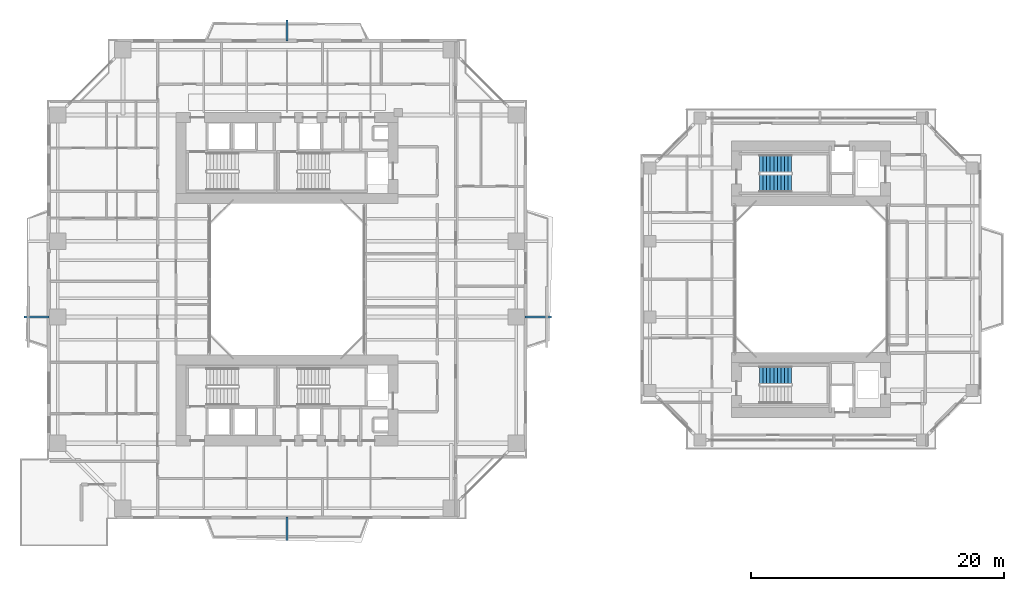
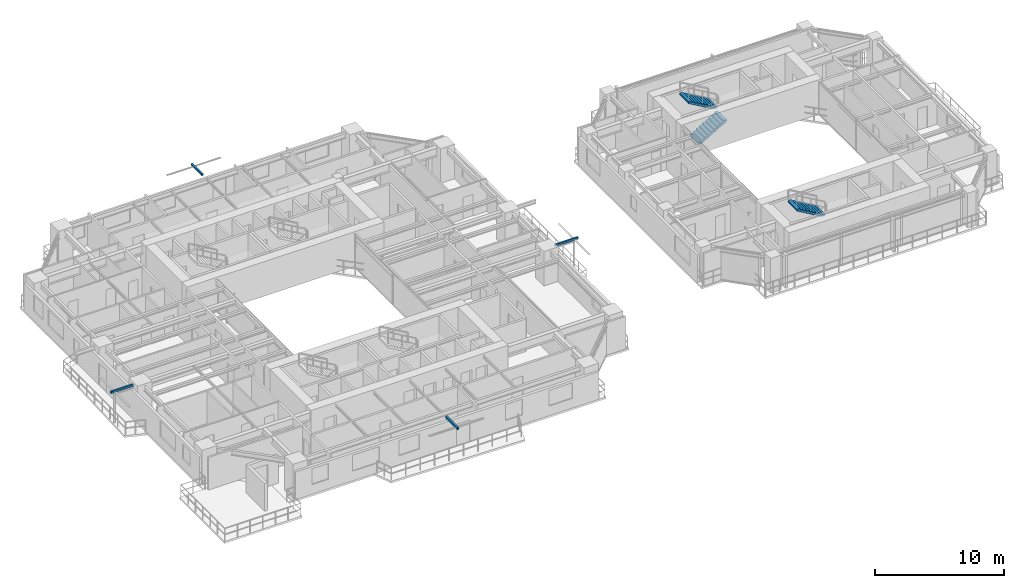
# One storey, part 19 of 24: 4 discrete accessories, 3 stair flights, 2 elements without a shape of their own.
"""IFC4 building model written with IfcOpenShell, lengths in metres."""

import ifcopenshell
import ifcopenshell.guid

model = None  # the IFC model being written
_history = None  # IfcOwnerHistory: only IFC2X3 demands one
_inside = {}  # id of a spatial element -> (the spatial element, [elements in it])
_under = {}  # id of a project, library or spatial element -> (it, [spatial elements below it])
_declared = {}  # id of a project -> (the project, [libraries it declares])
_typed = {}  # id of a type object -> (the type object, [elements of that type])
_made_of = {}  # id of a material, layer set ... -> (it, [elements and type objects made of it])


def new_model(schema):
    """Start an empty IFC model of exactly this schema.

    Asked for "IFC4X3", IfcOpenShell would pick the latest addendum, in which some entities
    have other attributes; the version numbers below select the first issue.
    IFC2X3 requires an IfcOwnerHistory on every rooted entity: one is made here for all.
    """
    global model, _history
    if schema == "IFC4X3":
        model = ifcopenshell.file(schema_version=(4, 3, 0, 0))
    else:
        model = ifcopenshell.file(schema=schema)
    _inside.clear()
    _under.clear()
    _declared.clear()
    _typed.clear()
    _made_of.clear()
    _history = None
    if model.schema == "IFC2X3":
        org = make("IfcOrganization", Name="unknown")
        user = make(
            "IfcPersonAndOrganization",
            ThePerson=make("IfcPerson", FamilyName="unknown"),
            TheOrganization=org,
        )
        app = make(
            "IfcApplication",
            ApplicationDeveloper=org,
            Version="unknown",
            ApplicationFullName="unknown",
            ApplicationIdentifier="unknown",
        )
        _history = make(
            "IfcOwnerHistory",
            OwningUser=user,
            OwningApplication=app,
            ChangeAction="ADDED",
            CreationDate=0,
        )
    return model


def make(cls, **values):
    """One entity of the class cls with the attributes given. An attribute that is None is left unset."""
    return model.create_entity(
        cls, **{name: value for name, value in values.items() if value is not None}
    )


def rooted(cls, **values):
    """An entity with a GlobalId (a new one), such as an element, a storey or a relation."""
    return make(cls, GlobalId=ifcopenshell.guid.new(), OwnerHistory=_history, **values)


def si_unit(unit_type, name, prefix=None):
    """IfcSIUnit, for example si_unit("LENGTHUNIT", "METRE", prefix="MILLI")."""
    return make("IfcSIUnit", UnitType=unit_type, Prefix=prefix, Name=name)


def assignment(units):
    """IfcUnitAssignment: the units of a project."""
    return None if units is None else make("IfcUnitAssignment", Units=units)


def point(xyz):
    """IfcCartesianPoint."""
    return None if xyz is None else make("IfcCartesianPoint", Coordinates=xyz)


def direction(xyz):
    """IfcDirection."""
    return None if xyz is None else make("IfcDirection", DirectionRatios=xyz)


def frame(location, z_axis=None, x_axis=None):
    """IfcAxis2Placement3D, a coordinate frame: its origin and axes. An axis left out is left unset."""
    return make(
        "IfcAxis2Placement3D",
        Location=point(location),
        Axis=direction(z_axis),
        RefDirection=direction(x_axis),
    )


def frame_2d(location, x_axis=None):
    """IfcAxis2Placement2D, a coordinate frame in the plane: its origin and x axis."""
    return make(
        "IfcAxis2Placement2D", Location=point(location), RefDirection=direction(x_axis)
    )


def origin():
    """The frame at (0, 0, 0) with its axes left unset."""
    return frame((0.0, 0.0, 0.0))


def origin_2d():
    """The frame at (0, 0) in the plane with its x axis left unset."""
    return frame_2d((0.0, 0.0))


def place(relative_to, where):
    """IfcLocalPlacement: puts the frame where relative to a parent placement (None: the world)."""
    return make(
        "IfcLocalPlacement", PlacementRelTo=relative_to, RelativePlacement=where
    )


def context(
    kind, dimensions, precision=None, world=None, true_north=None, identifier=None
):
    """IfcGeometricRepresentationContext, for example the 3D "Model" context."""
    return make(
        "IfcGeometricRepresentationContext",
        ContextIdentifier=identifier,
        ContextType=kind,
        CoordinateSpaceDimension=dimensions,
        Precision=precision,
        WorldCoordinateSystem=world,
        TrueNorth=true_north,
    )


def subcontext(parent, identifier, kind, view, scale=None):
    """IfcGeometricRepresentationSubContext, for example "Body" below "Model"."""
    return make(
        "IfcGeometricRepresentationSubContext",
        ContextIdentifier=identifier,
        ContextType=kind,
        ParentContext=parent,
        TargetScale=scale,
        TargetView=view,
    )


def project(units=None, contexts=None):
    """IfcProject with its units and contexts."""
    return rooted(
        "IfcProject",
        Name="project",
        RepresentationContexts=contexts,
        UnitsInContext=assignment(units),
    )


def spatial(cls, under=None, at=None, **own):
    """A site, building, storey or space (cls), placed at a placement, below another one or the project."""
    s = rooted(cls, ObjectPlacement=at, **own)
    if under is not None:
        _under.setdefault(under.id(), (under, []))[1].append(s)
    return s


def polyline(points):
    """IfcPolyline through the points."""
    return make("IfcPolyline", Points=[point(p) for p in points])


def profile(cls, at=None, kind="AREA", **sizes):
    """A parametric profile (cls). Its sizes go by their IFC names, for example OverallWidth=200.0."""
    return make(cls, ProfileType=kind, Position=at, **sizes)


def rectangle(**sizes):
    """IfcRectangleProfileDef."""
    return profile("IfcRectangleProfileDef", **sizes)


def outline(outer, holes=None, kind="AREA"):
    """IfcArbitraryClosedProfileDef: a profile drawn as a closed curve; with holes, ...WithVoids."""
    if holes is None:
        return make("IfcArbitraryClosedProfileDef", ProfileType=kind, OuterCurve=outer)
    return make(
        "IfcArbitraryProfileDefWithVoids",
        ProfileType=kind,
        OuterCurve=outer,
        InnerCurves=holes,
    )


def extrude(swept, where, along, depth):
    """IfcExtrudedAreaSolid: the profile swept, set in the frame where, extruded along a direction by depth."""
    return make(
        "IfcExtrudedAreaSolid",
        SweptArea=swept,
        Position=where,
        ExtrudedDirection=direction(along),
        Depth=depth,
    )


def shape(context_of_items, identifier, shape_type, items):
    """IfcShapeRepresentation: the items that make up one representation, for example the "Body"."""
    return make(
        "IfcShapeRepresentation",
        ContextOfItems=context_of_items,
        RepresentationIdentifier=identifier,
        RepresentationType=shape_type,
        Items=items,
    )


def source(mapping_origin, context_of_items, identifier, shape_type, items):
    """IfcRepresentationMap: a shape defined once, which mapped items show again and again."""
    return make(
        "IfcRepresentationMap",
        MappingOrigin=mapping_origin,
        MappedRepresentation=shape(context_of_items, identifier, shape_type, items),
    )


def transform(
    local_origin,
    x_axis=None,
    y_axis=None,
    z_axis=None,
    scale=None,
    scale2=None,
    scale3=None,
    uniform=True,
):
    """IfcCartesianTransformationOperator3D, or its non-uniform kind. x_axis, y_axis, z_axis: its Axis1, 2, 3."""
    if uniform:
        return make(
            "IfcCartesianTransformationOperator3D",
            Axis1=direction(x_axis),
            Axis2=direction(y_axis),
            LocalOrigin=point(local_origin),
            Scale=scale,
            Axis3=direction(z_axis),
        )
    return make(
        "IfcCartesianTransformationOperator3DnonUniform",
        Axis1=direction(x_axis),
        Axis2=direction(y_axis),
        LocalOrigin=point(local_origin),
        Scale=scale,
        Axis3=direction(z_axis),
        Scale2=scale2,
        Scale3=scale3,
    )


def mapped(mapping_source, mapping_target):
    """IfcMappedItem: shows the shape of a source again, moved by a transform."""
    return make(
        "IfcMappedItem", MappingSource=mapping_source, MappingTarget=mapping_target
    )


def material(Name=None, Category=None):
    """IfcMaterial."""
    return make("IfcMaterial", Name=Name, Category=Category)


def made_of(thing, what):
    """Note that an element or type object is made of a material, layer set ...; save() writes the relation."""
    if what is not None:
        _made_of.setdefault(what.id(), (what, []))[1].append(thing)
    return thing


def type_object(cls, material=None, **own):
    """A type object (cls), such as IfcWallType, which elements share."""
    return made_of(rooted(cls, **own), material)


def element(
    cls,
    number,
    at=None,
    inside=None,
    cuts=None,
    type_object=None,
    material=None,
    context=None,
    identifier="Body",
    shape_type=None,
    held_by="IfcProductDefinitionShape",
    body=None,
    shapes=None,
    **own,
):
    """One element of the class cls, such as IfcWall. Its Tag is "e" and its number.

    at: its placement. inside: the storey or other place that contains it. cuts: it is an
    opening in that element (IfcRelVoidsElement). A single representation is given by context,
    identifier, shape_type and body (its items); several are given by shapes. held_by: the class
    of the entity that holds the representations. save() writes the other relations.
    """
    e = rooted(cls, Tag="e%d" % number, ObjectPlacement=at, **own)
    if body is not None:
        shapes = [shape(context, identifier, shape_type, body)]
    if shapes is not None:
        e.Representation = make(held_by, Representations=shapes)
    if inside is not None:
        _inside.setdefault(inside.id(), (inside, []))[1].append(e)
    if cuts is not None:
        rooted(
            "IfcRelVoidsElement", RelatingBuildingElement=cuts, RelatedOpeningElement=e
        )
    if type_object is not None:
        _typed.setdefault(type_object.id(), (type_object, []))[1].append(e)
    return made_of(e, material)


def aggregate(whole, parts):
    """IfcRelAggregates: a whole, such as a stair, and the parts it consists of."""
    return rooted("IfcRelAggregates", RelatingObject=whole, RelatedObjects=parts)


def save(model, path):
    """Write the relations noted so far, then the file.

    IfcRelAggregates (storeys below a building ...), IfcRelContainedInSpatialStructure (elements
    in a storey), IfcRelDefinesByType, IfcRelAssociatesMaterial and IfcRelDeclares: one each for
    every whole, place, type object, material and project.
    """
    for whole, parts in _under.values():
        aggregate(whole, parts)
    for where, things in _inside.values():
        rooted(
            "IfcRelContainedInSpatialStructure",
            RelatedElements=things,
            RelatingStructure=where,
        )
    for kind, things in _typed.values():
        rooted("IfcRelDefinesByType", RelatedObjects=things, RelatingType=kind)
    for what, things in _made_of.values():
        rooted("IfcRelAssociatesMaterial", RelatedObjects=things, RelatingMaterial=what)
    for by, libraries in _declared.values():
        rooted("IfcRelDeclares", RelatingContext=by, RelatedDefinitions=libraries)
    model.write(path)


model = new_model("IFC4")

# Units and contexts
model_context = context("Model", 3, precision=1e-05, world=origin(), true_north=direction((0.0, 1.0)))
body_context = subcontext(model_context, "Body", "Model", "MODEL_VIEW")
ifc_project = project(units=[si_unit("LENGTHUNIT", "METRE"), si_unit("AREAUNIT", "SQUARE_METRE"), si_unit("VOLUMEUNIT", "CUBIC_METRE"), si_unit("PLANEANGLEUNIT", "RADIAN"), si_unit("MASSUNIT", "GRAM", prefix="KILO"), si_unit("THERMODYNAMICTEMPERATUREUNIT", "KELVIN"), si_unit("POWERUNIT", "WATT")], contexts=[model_context])

# Site, building, storey
site_placement = place(None, origin())
site = spatial("IfcSite", under=ifc_project, at=site_placement, CompositionType="ELEMENT")
building_placement = place(site_placement, origin())
building = spatial("IfcBuilding", under=site, at=building_placement, Name="Qiaomeng Ring Towers", CompositionType="ELEMENT")
storey_placement = place(building_placement, frame((0.0, 0.0, 63.25)))
storey = spatial("IfcBuildingStorey", under=building, at=storey_placement, Name="L17", CompositionType="ELEMENT", Elevation=63.25)

# Stair, stair flights
ifc_material_1 = material(Name="Precast concrete C40", Category="concrete")
stair_type = type_object("IfcStairType", Name="ARC-ST-325", PredefinedType="HALF_TURN_STAIR", material=ifc_material_1)
stair_1_placement = place(storey_placement, origin())
stair_1 = element("IfcStair", 1, at=stair_1_placement, inside=storey, type_object=stair_type, Name="L17 Companion North Stair 5", PredefinedType="HALF_TURN_STAIR")
stair_flight_type = type_object("IfcStairFlightType", Name="ARC-ST-325-FL", PredefinedType="STRAIGHT", material=ifc_material_1)
shared_shape_1 = source(origin(), body_context, "Body", "SweptSolid", [
    extrude(outline(polyline([(0.0, 0.0), (0.0, 0.16259765625), (0.280029296875, 0.16259765625), (0.280029296875, 0.324951171875), (0.56005859375, 0.324951171875), (0.56005859375, 0.487548828125), (0.840087890625, 0.487548828125), (0.840087890625, 0.64990234375), (1.1201171875, 0.64990234375), (1.1201171875, 0.8125), (1.39990234375, 0.8125), (1.39990234375, 0.97509765625), (1.679931640625, 0.97509765625), (1.679931640625, 1.137451171875), (1.9599609375, 1.137451171875), (1.9599609375, 1.300048828125), (2.239990234375, 1.300048828125), (2.239990234375, 1.46240234375), (2.52001953125, 1.46240234375), (2.52001953125, 1.625), (2.52001953125, 1.2890625), (0.298583984375, 0.0), (0.0, 0.0)])), frame((0.0, 0.699951171875, 0.0), z_axis=(0.0, -1.0, 0.0), x_axis=(1.0, 0.0, 0.0)), (0.0, 0.0, 1.0), 1.39990234375),
])
stair_flight_1_placement = place(storey_placement, frame((56.419921875, 30.60009765625, 0.0), z_axis=(0.0, 0.0, 1.0), x_axis=(1.0, 0.0, 0.0)))
stair_flight_1 = element("IfcStairFlight", 2, at=stair_flight_1_placement, type_object=stair_flight_type, Name="ST5 flight 1", NumberOfRisers=10, NumberOfTreads=9, PredefinedType="STRAIGHT", RiserHeight=0.1625, TreadLength=0.28, context=body_context, shape_type="MappedRepresentation", body=[
    mapped(shared_shape_1, transform((0.0, 0.0, 0.0), x_axis=(1.0, 0.0, 0.0), y_axis=(0.0, 1.0, 0.0), z_axis=(0.0, 0.0, 1.0), scale=1.0)),
])
stair_flight_2_placement = place(storey_placement, frame((58.93994140625, 32.139892578125, 1.625), z_axis=(0.0, 0.0, 1.0), x_axis=(-1.0, 0.0, 0.0)))
stair_flight_2 = element("IfcStairFlight", 3, at=stair_flight_2_placement, type_object=stair_flight_type, Name="ST5 flight 2", NumberOfRisers=10, NumberOfTreads=9, PredefinedType="STRAIGHT", RiserHeight=0.1625, TreadLength=0.28, context=body_context, shape_type="MappedRepresentation", body=[
    mapped(shared_shape_1, transform((0.0, 0.0, 0.0), x_axis=(1.0, 0.0, 0.0), y_axis=(0.0, 1.0, 0.0), z_axis=(0.0, 0.0, 1.0), scale=1.0)),
])
aggregate(stair_1, [stair_flight_1, stair_flight_2])

# Stair, stair flight
stair_2_placement = place(storey_placement, origin())
stair_2 = element("IfcStair", 4, at=stair_2_placement, inside=storey, type_object=stair_type, Name="L17 Companion South Stair 6", PredefinedType="HALF_TURN_STAIR")
stair_flight_3_placement = place(storey_placement, frame((58.93994140625, 15.39990234375, 1.625), z_axis=(0.0, 0.0, 1.0), x_axis=(-1.0, 0.0, 0.0)))
stair_flight_3 = element("IfcStairFlight", 5, at=stair_flight_3_placement, type_object=stair_flight_type, Name="ST6 flight 2", NumberOfRisers=10, NumberOfTreads=9, PredefinedType="STRAIGHT", RiserHeight=0.1625, TreadLength=0.28, context=body_context, shape_type="MappedRepresentation", body=[
    mapped(shared_shape_1, transform((0.0, 0.0, 0.0), x_axis=(1.0, 0.0, 0.0), y_axis=(0.0, 1.0, 0.0), z_axis=(0.0, 0.0, 1.0), scale=1.0)),
])
aggregate(stair_2, [stair_flight_3])

# Discrete accessories
ifc_material_2 = material(Name="Stainless steel 316", Category="steel")
discrete_accessory_type = type_object("IfcDiscreteAccessoryType", Name="ARC-ACC-BRACKET", PredefinedType="BRACKET", material=ifc_material_2)
shared_shape_2 = source(origin(), body_context, "Body", "SweptSolid", [
    extrude(rectangle(XDim=0.159912109375, YDim=1.85009765625, at=origin_2d()), origin(), (0.0, 0.0, 1.0), 0.179931640625),
])
discrete_accessory_1_placement = place(storey_placement, frame((19.0, 3.22509765625, 2.89990234375), z_axis=(0.0, 0.0, 1.0), x_axis=(1.0, 0.0, 0.0)))
element("IfcDiscreteAccessory", 6, at=discrete_accessory_1_placement, inside=storey, type_object=discrete_accessory_type, Name="L17 Stainless Outer-Skin Tie Bracket S", PredefinedType="BRACKET", context=body_context, shape_type="MappedRepresentation", body=[
    mapped(shared_shape_2, transform((0.0, 0.0, 0.0), x_axis=(1.0, 0.0, 0.0), y_axis=(0.0, 1.0, 0.0), z_axis=(0.0, 0.0, 1.0), scale=1.0)),
])
shared_shape_3 = source(origin(), body_context, "Body", "SweptSolid", [
    extrude(rectangle(XDim=0.159912109375, YDim=1.669921875, at=origin_2d()), origin(), (0.0, 0.0, 1.0), 0.179931640625),
])
discrete_accessory_2_placement = place(storey_placement, frame((19.0, 42.68505859375, 2.89990234375), z_axis=(0.0, 0.0, 1.0), x_axis=(1.0, 0.0, 0.0)))
element("IfcDiscreteAccessory", 7, at=discrete_accessory_2_placement, inside=storey, type_object=discrete_accessory_type, Name="L17 Stainless Outer-Skin Tie Bracket N", PredefinedType="BRACKET", context=body_context, shape_type="MappedRepresentation", body=[
    mapped(shared_shape_3, transform((0.0, 0.0, 0.0), x_axis=(1.0, 0.0, 0.0), y_axis=(0.0, 1.0, 0.0), z_axis=(0.0, 0.0, 1.0), scale=1.0)),
])
shared_shape_4 = source(origin(), body_context, "Body", "SweptSolid", [
    extrude(rectangle(XDim=2.0, YDim=0.159912109375, at=origin_2d()), origin(), (0.0, 0.0, 1.0), 0.179931640625),
])
discrete_accessory_3_placement = place(storey_placement, frame((-0.85009765625, 20.0, 2.89990234375), z_axis=(0.0, 0.0, 1.0), x_axis=(1.0, 0.0, 0.0)))
element("IfcDiscreteAccessory", 8, at=discrete_accessory_3_placement, inside=storey, type_object=discrete_accessory_type, Name="L17 Stainless Outer-Skin Tie Bracket W", PredefinedType="BRACKET", context=body_context, shape_type="MappedRepresentation", body=[
    mapped(shared_shape_4, transform((0.0, 0.0, 0.0), x_axis=(1.0, 0.0, 0.0), y_axis=(0.0, 1.0, 0.0), z_axis=(0.0, 0.0, 1.0), scale=1.0)),
])
shared_shape_5 = source(origin(), body_context, "Body", "SweptSolid", [
    extrude(rectangle(XDim=2.070068359375, YDim=0.159912109375, at=origin_2d()), origin(), (0.0, 0.0, 1.0), 0.179931640625),
])
discrete_accessory_4_placement = place(storey_placement, frame((38.885009765625, 20.0, 2.89990234375), z_axis=(0.0, 0.0, 1.0), x_axis=(1.0, 0.0, 0.0)))
element("IfcDiscreteAccessory", 9, at=discrete_accessory_4_placement, inside=storey, type_object=discrete_accessory_type, Name="L17 Stainless Outer-Skin Tie Bracket E", PredefinedType="BRACKET", context=body_context, shape_type="MappedRepresentation", body=[
    mapped(shared_shape_5, transform((0.0, 0.0, 0.0), x_axis=(1.0, 0.0, 0.0), y_axis=(0.0, 1.0, 0.0), z_axis=(0.0, 0.0, 1.0), scale=1.0)),
])

save(model, "model.ifc")
